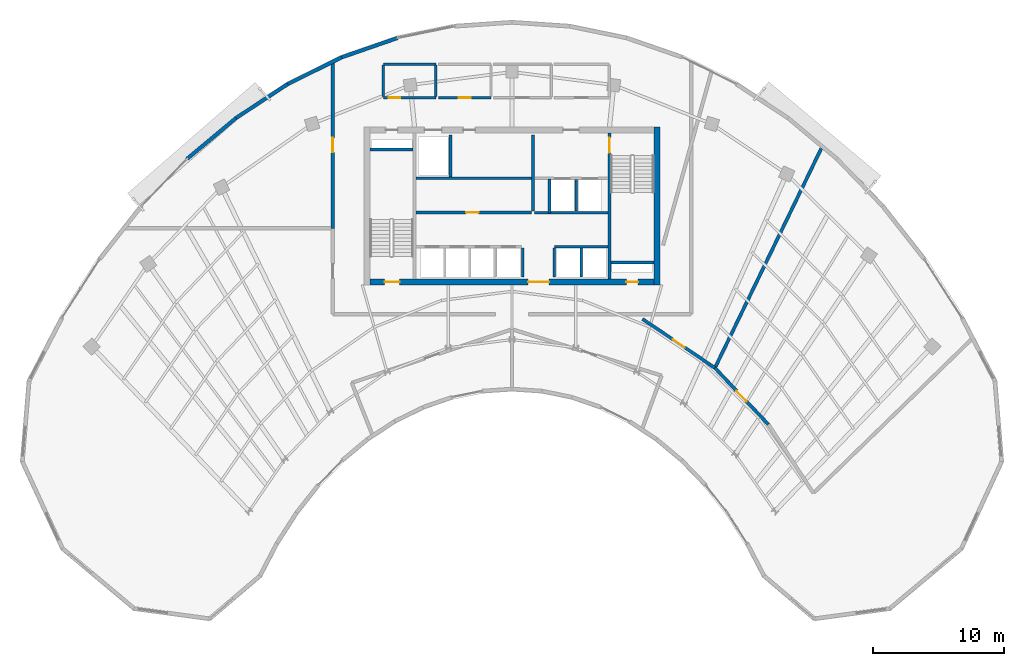
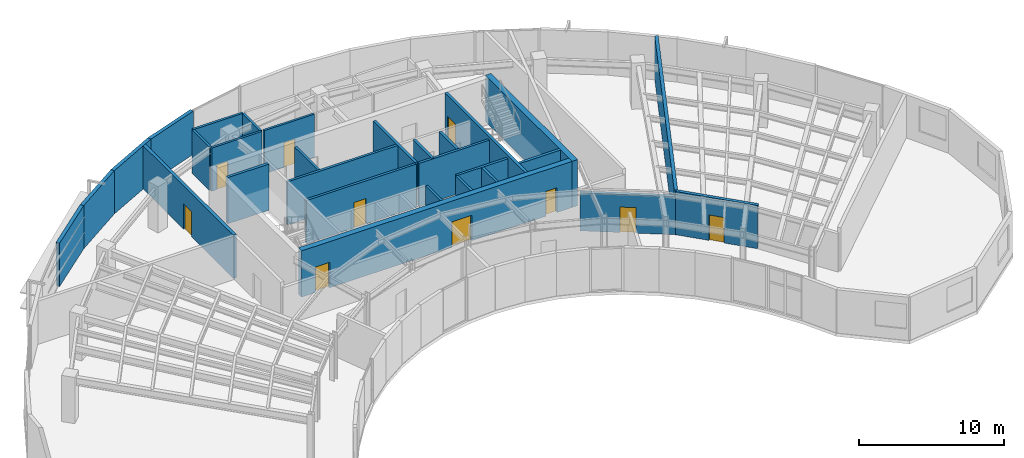
# One storey, part 9 of 13: 29 walls, 10 doors, 10 openings.
"""IFC4 building model written with IfcOpenShell, lengths in metres."""

import ifcopenshell
import ifcopenshell.guid

model = None  # the IFC model being written
_history = None  # IfcOwnerHistory: only IFC2X3 demands one
_inside = {}  # id of a spatial element -> (the spatial element, [elements in it])
_under = {}  # id of a project, library or spatial element -> (it, [spatial elements below it])
_declared = {}  # id of a project -> (the project, [libraries it declares])
_typed = {}  # id of a type object -> (the type object, [elements of that type])
_made_of = {}  # id of a material, layer set ... -> (it, [elements and type objects made of it])


def new_model(schema):
    """Start an empty IFC model of exactly this schema.

    Asked for "IFC4X3", IfcOpenShell would pick the latest addendum, in which some entities
    have other attributes; the version numbers below select the first issue.
    IFC2X3 requires an IfcOwnerHistory on every rooted entity: one is made here for all.
    """
    global model, _history
    if schema == "IFC4X3":
        model = ifcopenshell.file(schema_version=(4, 3, 0, 0))
    else:
        model = ifcopenshell.file(schema=schema)
    _inside.clear()
    _under.clear()
    _declared.clear()
    _typed.clear()
    _made_of.clear()
    _history = None
    if model.schema == "IFC2X3":
        org = make("IfcOrganization", Name="unknown")
        user = make(
            "IfcPersonAndOrganization",
            ThePerson=make("IfcPerson", FamilyName="unknown"),
            TheOrganization=org,
        )
        app = make(
            "IfcApplication",
            ApplicationDeveloper=org,
            Version="unknown",
            ApplicationFullName="unknown",
            ApplicationIdentifier="unknown",
        )
        _history = make(
            "IfcOwnerHistory",
            OwningUser=user,
            OwningApplication=app,
            ChangeAction="ADDED",
            CreationDate=0,
        )
    return model


def make(cls, **values):
    """One entity of the class cls with the attributes given. An attribute that is None is left unset."""
    return model.create_entity(
        cls, **{name: value for name, value in values.items() if value is not None}
    )


def rooted(cls, **values):
    """An entity with a GlobalId (a new one), such as an element, a storey or a relation."""
    return make(cls, GlobalId=ifcopenshell.guid.new(), OwnerHistory=_history, **values)


def si_unit(unit_type, name, prefix=None):
    """IfcSIUnit, for example si_unit("LENGTHUNIT", "METRE", prefix="MILLI")."""
    return make("IfcSIUnit", UnitType=unit_type, Prefix=prefix, Name=name)


def assignment(units):
    """IfcUnitAssignment: the units of a project."""
    return None if units is None else make("IfcUnitAssignment", Units=units)


def point(xyz):
    """IfcCartesianPoint."""
    return None if xyz is None else make("IfcCartesianPoint", Coordinates=xyz)


def direction(xyz):
    """IfcDirection."""
    return None if xyz is None else make("IfcDirection", DirectionRatios=xyz)


def frame(location, z_axis=None, x_axis=None):
    """IfcAxis2Placement3D, a coordinate frame: its origin and axes. An axis left out is left unset."""
    return make(
        "IfcAxis2Placement3D",
        Location=point(location),
        Axis=direction(z_axis),
        RefDirection=direction(x_axis),
    )


def frame_2d(location, x_axis=None):
    """IfcAxis2Placement2D, a coordinate frame in the plane: its origin and x axis."""
    return make(
        "IfcAxis2Placement2D", Location=point(location), RefDirection=direction(x_axis)
    )


def origin():
    """The frame at (0, 0, 0) with its axes left unset."""
    return frame((0.0, 0.0, 0.0))


def place(relative_to, where):
    """IfcLocalPlacement: puts the frame where relative to a parent placement (None: the world)."""
    return make(
        "IfcLocalPlacement", PlacementRelTo=relative_to, RelativePlacement=where
    )


def context(
    kind, dimensions, precision=None, world=None, true_north=None, identifier=None
):
    """IfcGeometricRepresentationContext, for example the 3D "Model" context."""
    return make(
        "IfcGeometricRepresentationContext",
        ContextIdentifier=identifier,
        ContextType=kind,
        CoordinateSpaceDimension=dimensions,
        Precision=precision,
        WorldCoordinateSystem=world,
        TrueNorth=true_north,
    )


def subcontext(parent, identifier, kind, view, scale=None):
    """IfcGeometricRepresentationSubContext, for example "Body" below "Model"."""
    return make(
        "IfcGeometricRepresentationSubContext",
        ContextIdentifier=identifier,
        ContextType=kind,
        ParentContext=parent,
        TargetScale=scale,
        TargetView=view,
    )


def project(units=None, contexts=None):
    """IfcProject with its units and contexts."""
    return rooted(
        "IfcProject",
        Name="project",
        RepresentationContexts=contexts,
        UnitsInContext=assignment(units),
    )


def spatial(cls, under=None, at=None, **own):
    """A site, building, storey or space (cls), placed at a placement, below another one or the project."""
    s = rooted(cls, ObjectPlacement=at, **own)
    if under is not None:
        _under.setdefault(under.id(), (under, []))[1].append(s)
    return s


def profile(cls, at=None, kind="AREA", **sizes):
    """A parametric profile (cls). Its sizes go by their IFC names, for example OverallWidth=200.0."""
    return make(cls, ProfileType=kind, Position=at, **sizes)


def rectangle(**sizes):
    """IfcRectangleProfileDef."""
    return profile("IfcRectangleProfileDef", **sizes)


def extrude(swept, where, along, depth):
    """IfcExtrudedAreaSolid: the profile swept, set in the frame where, extruded along a direction by depth."""
    return make(
        "IfcExtrudedAreaSolid",
        SweptArea=swept,
        Position=where,
        ExtrudedDirection=direction(along),
        Depth=depth,
    )


def shape(context_of_items, identifier, shape_type, items):
    """IfcShapeRepresentation: the items that make up one representation, for example the "Body"."""
    return make(
        "IfcShapeRepresentation",
        ContextOfItems=context_of_items,
        RepresentationIdentifier=identifier,
        RepresentationType=shape_type,
        Items=items,
    )


def source(mapping_origin, context_of_items, identifier, shape_type, items):
    """IfcRepresentationMap: a shape defined once, which mapped items show again and again."""
    return make(
        "IfcRepresentationMap",
        MappingOrigin=mapping_origin,
        MappedRepresentation=shape(context_of_items, identifier, shape_type, items),
    )


def transform(
    local_origin,
    x_axis=None,
    y_axis=None,
    z_axis=None,
    scale=None,
    scale2=None,
    scale3=None,
    uniform=True,
):
    """IfcCartesianTransformationOperator3D, or its non-uniform kind. x_axis, y_axis, z_axis: its Axis1, 2, 3."""
    if uniform:
        return make(
            "IfcCartesianTransformationOperator3D",
            Axis1=direction(x_axis),
            Axis2=direction(y_axis),
            LocalOrigin=point(local_origin),
            Scale=scale,
            Axis3=direction(z_axis),
        )
    return make(
        "IfcCartesianTransformationOperator3DnonUniform",
        Axis1=direction(x_axis),
        Axis2=direction(y_axis),
        LocalOrigin=point(local_origin),
        Scale=scale,
        Axis3=direction(z_axis),
        Scale2=scale2,
        Scale3=scale3,
    )


def mapped(mapping_source, mapping_target):
    """IfcMappedItem: shows the shape of a source again, moved by a transform."""
    return make(
        "IfcMappedItem", MappingSource=mapping_source, MappingTarget=mapping_target
    )


def material(Name=None, Category=None):
    """IfcMaterial."""
    return make("IfcMaterial", Name=Name, Category=Category)


def layer(
    of_material, thickness, ventilated=None, Name=None, Category=None, Priority=None
):
    """IfcMaterialLayer: one layer of a wall or slab, of a material (None: an air gap)."""
    return make(
        "IfcMaterialLayer",
        Material=of_material,
        LayerThickness=thickness,
        IsVentilated=ventilated,
        Name=Name,
        Category=Category,
        Priority=Priority,
    )


def layer_set(layers, Name=None):
    """IfcMaterialLayerSet."""
    return make("IfcMaterialLayerSet", MaterialLayers=layers, LayerSetName=Name)


def made_of(thing, what):
    """Note that an element or type object is made of a material, layer set ...; save() writes the relation."""
    if what is not None:
        _made_of.setdefault(what.id(), (what, []))[1].append(thing)
    return thing


def type_object(cls, material=None, **own):
    """A type object (cls), such as IfcWallType, which elements share."""
    return made_of(rooted(cls, **own), material)


def type_shapes(of_type, sources):
    """Give a type object the sources (RepresentationMaps) that its elements show as mapped items."""
    of_type.RepresentationMaps = sources


def element(
    cls,
    number,
    at=None,
    inside=None,
    cuts=None,
    type_object=None,
    material=None,
    context=None,
    identifier="Body",
    shape_type=None,
    held_by="IfcProductDefinitionShape",
    body=None,
    shapes=None,
    **own,
):
    """One element of the class cls, such as IfcWall. Its Tag is "e" and its number.

    at: its placement. inside: the storey or other place that contains it. cuts: it is an
    opening in that element (IfcRelVoidsElement). A single representation is given by context,
    identifier, shape_type and body (its items); several are given by shapes. held_by: the class
    of the entity that holds the representations. save() writes the other relations.
    """
    e = rooted(cls, Tag="e%d" % number, ObjectPlacement=at, **own)
    if body is not None:
        shapes = [shape(context, identifier, shape_type, body)]
    if shapes is not None:
        e.Representation = make(held_by, Representations=shapes)
    if inside is not None:
        _inside.setdefault(inside.id(), (inside, []))[1].append(e)
    if cuts is not None:
        rooted(
            "IfcRelVoidsElement", RelatingBuildingElement=cuts, RelatedOpeningElement=e
        )
    if type_object is not None:
        _typed.setdefault(type_object.id(), (type_object, []))[1].append(e)
    return made_of(e, material)


def fill(opening, filler):
    """IfcRelFillsElement: the door or window that sits in an opening."""
    return rooted(
        "IfcRelFillsElement",
        RelatingOpeningElement=opening,
        RelatedBuildingElement=filler,
    )


def aggregate(whole, parts):
    """IfcRelAggregates: a whole, such as a stair, and the parts it consists of."""
    return rooted("IfcRelAggregates", RelatingObject=whole, RelatedObjects=parts)


def save(model, path):
    """Write the relations noted so far, then the file.

    IfcRelAggregates (storeys below a building ...), IfcRelContainedInSpatialStructure (elements
    in a storey), IfcRelDefinesByType, IfcRelAssociatesMaterial and IfcRelDeclares: one each for
    every whole, place, type object, material and project.
    """
    for whole, parts in _under.values():
        aggregate(whole, parts)
    for where, things in _inside.values():
        rooted(
            "IfcRelContainedInSpatialStructure",
            RelatedElements=things,
            RelatingStructure=where,
        )
    for kind, things in _typed.values():
        rooted("IfcRelDefinesByType", RelatedObjects=things, RelatingType=kind)
    for what, things in _made_of.values():
        rooted("IfcRelAssociatesMaterial", RelatedObjects=things, RelatingMaterial=what)
    for by, libraries in _declared.values():
        rooted("IfcRelDeclares", RelatingContext=by, RelatedDefinitions=libraries)
    model.write(path)


model = new_model("IFC4")

# Units and contexts
model_context = context("Model", 3, precision=1e-05, world=origin(), true_north=direction((0.0, 1.0)))
body_context = subcontext(model_context, "Body", "Model", "MODEL_VIEW")
ifc_project = project(units=[si_unit("LENGTHUNIT", "METRE"), si_unit("AREAUNIT", "SQUARE_METRE"), si_unit("VOLUMEUNIT", "CUBIC_METRE"), si_unit("PLANEANGLEUNIT", "RADIAN"), si_unit("MASSUNIT", "GRAM", prefix="KILO")], contexts=[model_context])

# Site, building, storey
site_placement = place(None, origin())
site = spatial("IfcSite", under=ifc_project, at=site_placement, CompositionType="ELEMENT")
building_placement = place(site_placement, origin())
building = spatial("IfcBuilding", under=site, at=building_placement, Name="Breltana Convention Tower", CompositionType="ELEMENT")
storey_placement = place(building_placement, frame((0.0, 0.0, 227.39990234375)))
storey = spatial("IfcBuildingStorey", under=building, at=storey_placement, Name="L55", CompositionType="ELEMENT", Elevation=227.39990234375)

# Walls
ifc_material_1 = material(Name="Concrete C50/60", Category="concrete")
ifc_layer_1 = layer(ifc_material_1, 0.39990234375, Name="Concrete C50/60")
ifc_layer_set_1 = layer_set([ifc_layer_1], Name="Concrete C50/60")
wall_type_1 = type_object("IfcWallType", Name="SW-CORE-400", PredefinedType="SHEAR", material=ifc_layer_set_1)
shared_shape_1 = source(origin(), body_context, "Body", "SweptSolid", [
    extrude(rectangle(XDim=3.27001953125, YDim=0.219970703125, at=frame_2d((1.635009765625, 0.0))), origin(), (0.0, 0.0, 1.0), 3.900146484375),
])
for number, where, z_axis, x_axis, name in (
    (1, (37.199951171875, 70.510009765625, 0.0), (0.0, 0.0, 1.0), (1.0, 0.0, 0.0), "L55 ST-1 Stairwell North Bearing Wall"),
    (2, (55.530029296875, 61.889892578125, 0.0), (0.0, 0.0, 1.0), (1.0, 0.0, 0.0), "L55 ST-2 Stairwell South Bearing Wall"),
):
    element("IfcWall", number, at=place(storey_placement, frame(where, z_axis=z_axis, x_axis=x_axis)), inside=storey, type_object=wall_type_1, Name=name, PredefinedType="SHEAR", context=body_context, shape_type="MappedRepresentation", body=[
        mapped(shared_shape_1, transform((0.0, 0.0, 0.0), scale=1.0)),
    ])
ifc_material_2 = material(Name="Concrete C60/75", Category="concrete")
ifc_layer_2 = layer(ifc_material_2, 0.449951171875, Name="Concrete C60/75")
ifc_layer_set_2 = layer_set([ifc_layer_2], Name="Concrete C60/75")
wall_type_2 = type_object("IfcWallType", Name="SW-CORE-450", PredefinedType="SHEAR", material=ifc_layer_set_2)
shared_shape_2 = source(origin(), body_context, "Body", "SweptSolid", [
    extrude(rectangle(XDim=12.0, YDim=0.449951171875, at=frame_2d((6.0, 0.0))), origin(), (0.0, 0.0, 1.0), 3.900146484375),
])
wall_1_placement = place(storey_placement, frame((59.02490234375, 60.199951171875, 0.0), z_axis=(0.0, 0.0, 1.0), x_axis=(0.0, 1.0, 0.0)))
element("IfcWall", 3, at=wall_1_placement, inside=storey, type_object=wall_type_2, Name="L55 East Core Shear Wall", PredefinedType="SHEAR", context=body_context, shape_type="MappedRepresentation", body=[
    mapped(shared_shape_2, transform((0.0, 0.0, 0.0), scale=1.0)),
])

# Wall, openings, doors
shared_shape_3 = source(origin(), body_context, "Body", "SweptSolid", [
    extrude(rectangle(XDim=21.60009765625, YDim=0.449951171875, at=frame_2d((10.800048828125, 0.0))), origin(), (0.0, 0.0, 1.0), 3.900146484375),
])
wall_2_placement = place(storey_placement, frame((37.199951171875, 60.425048828125, 0.0), z_axis=(0.0, 0.0, 1.0), x_axis=(1.0, 0.0, 0.0)))
wall_2 = element("IfcWall", 4, at=wall_2_placement, inside=storey, type_object=wall_type_2, Name="L55 South Core Shear Wall", PredefinedType="SHEAR", context=body_context, shape_type="MappedRepresentation", body=[
    mapped(shared_shape_3, transform((0.0, 0.0, 0.0), scale=1.0)),
])
opening_1_placement = place(wall_2_placement, frame((1.10009765625, 0.0, 0.0)))
opening_1 = element("IfcOpeningElement", 5, at=opening_1_placement, cuts=wall_2, Name="Opening D-11", PredefinedType="OPENING", context=body_context, shape_type="SweptSolid", body=[
    extrude(rectangle(XDim=1.14990234375, YDim=2.14990234375, at=frame_2d((0.574951171875, 1.074951171875))), frame((0.0, 0.23486328125, 0.0), z_axis=(0.0, -1.0, 0.0), x_axis=(1.0, 0.0, 0.0)), (0.0, 0.0, 1.0), 0.469970703125),
])
opening_2_placement = place(wall_2_placement, frame((19.5, 0.0, 0.0)))
opening_2 = element("IfcOpeningElement", 6, at=opening_2_placement, cuts=wall_2, Name="Opening D-18", PredefinedType="OPENING", context=body_context, shape_type="SweptSolid", body=[
    extrude(rectangle(XDim=0.89990234375, YDim=2.10009765625, at=frame_2d((0.449951171875, 1.050048828125))), frame((0.0, 0.23486328125, 0.0), z_axis=(0.0, -1.0, 0.0), x_axis=(1.0, 0.0, 0.0)), (0.0, 0.0, 1.0), 0.469970703125),
])
opening_3_placement = place(wall_2_placement, frame((12.02001953125, 0.0, 0.0)))
opening_3 = element("IfcOpeningElement", 7, at=opening_3_placement, cuts=wall_2, Name="Opening D-02", PredefinedType="OPENING", context=body_context, shape_type="SweptSolid", body=[
    extrude(rectangle(XDim=1.60009765625, YDim=2.14990234375, at=frame_2d((0.800048828125, 1.074951171875))), frame((0.0, 0.23486328125, 0.0), z_axis=(0.0, -1.0, 0.0), x_axis=(1.0, 0.0, 0.0)), (0.0, 0.0, 1.0), 0.469970703125),
])
ifc_material_3 = material(Name="Steel Stair Exit Door", Category="steel")
door_type_1 = type_object("IfcDoorType", Name="DR-FD120-1150", OperationType="NOTDEFINED", PredefinedType="DOOR", material=ifc_material_3)
shared_shape_4 = source(origin(), body_context, "Body", "SweptSolid", [
    extrude(rectangle(XDim=1.14990234375, YDim=2.14990234375, at=frame_2d((0.574951171875, 1.074951171875))), frame((0.0, 0.02490234375, 0.0), z_axis=(0.0, -1.0, 0.0), x_axis=(1.0, 0.0, 0.0)), (0.0, 0.0, 1.0), 0.050048828125),
])
type_shapes(door_type_1, [shared_shape_4])
door_1_placement = place(opening_1_placement, origin())
door_1 = element("IfcDoor", 8, at=door_1_placement, inside=storey, type_object=door_type_1, Name="L55 interior door D-L55-ST1", OperationType="SINGLE_SWING_LEFT", OverallHeight=2.14990234375, OverallWidth=1.14990234375, PredefinedType="DOOR", context=body_context, shape_type="MappedRepresentation", body=[
    mapped(shared_shape_4, transform((0.0, 0.0, 0.0), scale=1.0)),
])
fill(opening_1, door_1)
ifc_material_4 = material(Name="Steel Riser Fire Door", Category="steel")
door_type_2 = type_object("IfcDoorType", Name="DR-FD60-900", OperationType="NOTDEFINED", PredefinedType="DOOR", material=ifc_material_4)
shared_shape_5 = source(origin(), body_context, "Body", "SweptSolid", [
    extrude(rectangle(XDim=0.89990234375, YDim=2.10009765625, at=frame_2d((0.449951171875, 1.050048828125))), frame((0.0, 0.02490234375, 0.0), z_axis=(0.0, -1.0, 0.0), x_axis=(1.0, 0.0, 0.0)), (0.0, 0.0, 1.0), 0.050048828125),
])
type_shapes(door_type_2, [shared_shape_5])
door_2_placement = place(opening_2_placement, origin())
door_2 = element("IfcDoor", 9, at=door_2_placement, inside=storey, type_object=door_type_2, Name="L55 Core Riser Access Door D-L55-RS2", OperationType="SINGLE_SWING_RIGHT", OverallHeight=2.10009765625, OverallWidth=0.89990234375, PredefinedType="DOOR", context=body_context, shape_type="MappedRepresentation", body=[
    mapped(shared_shape_5, transform((0.0, 0.0, 0.0), scale=1.0)),
])
fill(opening_2, door_2)
ifc_material_5 = material(Name="Steel Glazed Smoke-Control Door", Category="steel")
door_type_3 = type_object("IfcDoorType", Name="DR-DBL-FD90-1600", OperationType="DOUBLE_DOOR_SINGLE_SWING", PredefinedType="DOOR", material=ifc_material_5)
shared_shape_6 = source(origin(), body_context, "Body", "SweptSolid", [
    extrude(rectangle(XDim=1.60009765625, YDim=2.14990234375, at=frame_2d((0.800048828125, 1.074951171875))), frame((0.0, 0.02490234375, 0.0), z_axis=(0.0, -1.0, 0.0), x_axis=(1.0, 0.0, 0.0)), (0.0, 0.0, 1.0), 0.050048828125),
])
type_shapes(door_type_3, [shared_shape_6])
door_3_placement = place(opening_3_placement, origin())
door_3 = element("IfcDoor", 10, at=door_3_placement, inside=storey, type_object=door_type_3, Name="L55 interior door D-L55-LLB-S", OperationType="DOUBLE_DOOR_SINGLE_SWING", OverallHeight=2.14990234375, OverallWidth=1.60009765625, PredefinedType="DOOR", context=body_context, shape_type="MappedRepresentation", body=[
    mapped(shared_shape_6, transform((0.0, 0.0, 0.0), scale=1.0)),
])
fill(opening_3, door_3)

# Wall, opening, door
shared_shape_7 = source(origin(), body_context, "Body", "SweptSolid", [
    extrude(rectangle(XDim=11.10009765625, YDim=0.219970703125, at=frame_2d((5.550048828125, 0.0))), origin(), (0.0, 0.0, 1.0), 3.900146484375),
])
wall_3_placement = place(storey_placement, frame((55.419921875, 60.64990234375, 0.0), z_axis=(0.0, 0.0, 1.0), x_axis=(0.0, 1.0, 0.0)))
wall_3 = element("IfcWall", 11, at=wall_3_placement, inside=storey, type_object=wall_type_1, Name="L55 Core East Stair Spine Wall", PredefinedType="SHEAR", context=body_context, shape_type="MappedRepresentation", body=[
    mapped(shared_shape_7, transform((0.0, 0.0, 0.0), scale=1.0)),
])
opening_4_placement = place(wall_3_placement, frame((9.594970703125, 0.0, 0.0)))
opening_4 = element("IfcOpeningElement", 12, at=opening_4_placement, cuts=wall_3, Name="Opening D-11", PredefinedType="OPENING", context=body_context, shape_type="SweptSolid", body=[
    extrude(rectangle(XDim=1.14990234375, YDim=2.14990234375, at=frame_2d((0.574951171875, 1.074951171875))), frame((0.0, 0.1201171875, 0.0), z_axis=(0.0, -1.0, 0.0), x_axis=(1.0, 0.0, 0.0)), (0.0, 0.0, 1.0), 0.239990234375),
])
door_4_placement = place(opening_4_placement, origin())
door_4 = element("IfcDoor", 13, at=door_4_placement, inside=storey, type_object=door_type_1, Name="L55 interior door D-L55-ST2", OperationType="SINGLE_SWING_LEFT", OverallHeight=2.14990234375, OverallWidth=1.14990234375, PredefinedType="DOOR", context=body_context, shape_type="MappedRepresentation", body=[
    mapped(shared_shape_4, transform((0.0, 0.0, 0.0), scale=1.0)),
])
fill(opening_4, door_4)

# Walls
ifc_material_6 = material(Name="Limestone Buff Insulated Wall", Category="masonry")
ifc_layer_3 = layer(ifc_material_6, 0.280029296875, Name="Limestone Buff Insulated Wall")
ifc_layer_set_3 = layer_set([ifc_layer_3], Name="Limestone Buff Insulated Wall")
wall_type_3 = type_object("IfcWallType", Name="WL-EXT-NOSE-280", PredefinedType="SOLIDWALL", material=ifc_layer_set_3)
shared_shape_8 = source(origin(), body_context, "Body", "SweptSolid", [
    extrude(rectangle(XDim=4.851806640625, YDim=0.280029296875, at=frame_2d((2.42578125, 0.0))), origin(), (0.0, 0.0, 1.0), 3.650146484375),
])
wall_4_placement = place(storey_placement, frame((23.26806640625, 69.787841796875, 0.0), z_axis=(0.0, 0.0, 1.0), x_axis=(0.767936605821, 0.640525853843, 0.0)))
element("IfcWall", 14, at=wall_4_placement, inside=storey, type_object=wall_type_3, Name="L55 curved limestone nose wall E21", PredefinedType="SOLIDWALL", context=body_context, shape_type="MappedRepresentation", body=[
    mapped(shared_shape_8, transform((0.0, 0.0, 0.0), scale=1.0)),
])
shared_shape_9 = source(origin(), body_context, "Body", "SweptSolid", [
    extrude(rectangle(XDim=4.712646484375, YDim=0.280029296875, at=frame_2d((2.3564453125, 0.0))), origin(), (0.0, 0.0, 1.0), 3.650146484375),
])
wall_5_placement = place(storey_placement, frame((26.993896484375, 72.8955078125, 0.0), z_axis=(0.0, 0.0, 1.0), x_axis=(0.835974386457, 0.548768462275, 0.0)))
element("IfcWall", 15, at=wall_5_placement, inside=storey, type_object=wall_type_3, Name="L55 curved limestone nose wall E22", PredefinedType="SOLIDWALL", context=body_context, shape_type="MappedRepresentation", body=[
    mapped(shared_shape_9, transform((0.0, 0.0, 0.0), scale=1.0)),
])
shared_shape_10 = source(origin(), body_context, "Body", "SweptSolid", [
    extrude(rectangle(XDim=4.59033203125, YDim=0.280029296875, at=frame_2d((2.295166015625, 0.0))), origin(), (0.0, 0.0, 1.0), 3.650146484375),
])
wall_6_placement = place(storey_placement, frame((30.93359375, 75.481689453125, 0.0), z_axis=(0.0, 0.0, 1.0), x_axis=(0.895974834987, 0.444104824418, 0.0)))
element("IfcWall", 16, at=wall_6_placement, inside=storey, type_object=wall_type_3, Name="L55 curved limestone nose wall E23", PredefinedType="SOLIDWALL", context=body_context, shape_type="MappedRepresentation", body=[
    mapped(shared_shape_10, transform((0.0, 0.0, 0.0), scale=1.0)),
])
shared_shape_11 = source(origin(), body_context, "Body", "SweptSolid", [
    extrude(rectangle(XDim=4.4921875, YDim=0.280029296875, at=frame_2d((2.24609375, 0.0))), origin(), (0.0, 0.0, 1.0), 3.650146484375),
])
wall_7_placement = place(storey_placement, frame((35.04638671875, 77.520263671875, 0.0), z_axis=(0.0, 0.0, 1.0), x_axis=(0.944872297412, 0.32743906545, 0.0)))
element("IfcWall", 17, at=wall_7_placement, inside=storey, type_object=wall_type_3, Name="L55 curved limestone nose wall E24", PredefinedType="SOLIDWALL", context=body_context, shape_type="MappedRepresentation", body=[
    mapped(shared_shape_11, transform((0.0, 0.0, 0.0), scale=1.0)),
])
ifc_material_7 = material(Name="Autoclaved Aerated Concrete Block", Category="concrete")
ifc_layer_4 = layer(ifc_material_7, 0.199951171875, Name="Autoclaved Aerated Concrete Block")
ifc_layer_set_4 = layer_set([ifc_layer_4], Name="Autoclaved Aerated Concrete Block")
wall_type_4 = type_object("IfcWallType", Name="WL-SHAFT-200", PredefinedType="SOLIDWALL", material=ifc_layer_set_4)
shared_shape_12 = source(origin(), body_context, "Body", "SweptSolid", [
    extrude(rectangle(XDim=2.239990234375, YDim=0.199951171875, at=frame_2d((1.1201171875, 0.0))), origin(), (0.0, 0.0, 1.0), 3.650146484375),
])
for number, where, z_axis, x_axis, name in (
    (18, (48.820068359375, 60.780029296875, 0.0), (0.0, 0.0, 1.0), (0.0, 1.0, 0.0), "L55 interior partition W-L55-PORT-W"),
    (19, (51.219970703125, 60.780029296875, 0.0), (0.0, 0.0, 1.0), (0.0, 1.0, 0.0), "L55 interior partition W-L55-PORT-E"),
):
    element("IfcWall", number, at=place(storey_placement, frame(where, z_axis=z_axis, x_axis=x_axis)), inside=storey, type_object=wall_type_4, Name=name, PredefinedType="SOLIDWALL", context=body_context, shape_type="MappedRepresentation", body=[
        mapped(shared_shape_12, transform((0.0, 0.0, 0.0), scale=1.0)),
    ])
shared_shape_13 = source(origin(), body_context, "Body", "SweptSolid", [
    extrude(rectangle(XDim=5.6201171875, YDim=0.199951171875, at=frame_2d((2.81005859375, 0.0))), origin(), (0.0, 0.0, 1.0), 3.650146484375),
])
wall_8_placement = place(storey_placement, frame((49.699951171875, 65.679931640625, 0.0), z_axis=(0.0, 0.0, 1.0), x_axis=(1.0, 0.0, 0.0)))
element("IfcWall", 20, at=wall_8_placement, inside=storey, type_object=wall_type_4, Name="L55 interior partition W-L55-FL-S", PredefinedType="SOLIDWALL", context=body_context, shape_type="MappedRepresentation", body=[
    mapped(shared_shape_13, transform((0.0, 0.0, 0.0), scale=1.0)),
])
shared_shape_14 = source(origin(), body_context, "Body", "SweptSolid", [
    extrude(rectangle(XDim=5.800048828125, YDim=0.199951171875, at=frame_2d((2.89990234375, 0.0))), origin(), (0.0, 0.0, 1.0), 3.650146484375),
])
wall_9_placement = place(storey_placement, frame((49.60009765625, 65.800048828125, 0.0), z_axis=(0.0, 0.0, 1.0), x_axis=(0.0, 1.0, 0.0)))
element("IfcWall", 21, at=wall_9_placement, inside=storey, type_object=wall_type_4, Name="L55 interior partition W-L55-FFL-W", PredefinedType="SOLIDWALL", context=body_context, shape_type="MappedRepresentation", body=[
    mapped(shared_shape_14, transform((0.0, 0.0, 0.0), scale=1.0)),
])
shared_shape_15 = source(origin(), body_context, "Body", "SweptSolid", [
    extrude(rectangle(XDim=2.580078125, YDim=0.199951171875, at=frame_2d((1.2900390625, 0.0))), origin(), (0.0, 0.0, 1.0), 3.650146484375),
])
wall_10_placement = place(storey_placement, frame((50.85009765625, 65.679931640625, 0.0), z_axis=(0.0, 0.0, 1.0), x_axis=(0.0, 1.0, 0.0)))
element("IfcWall", 22, at=wall_10_placement, inside=storey, type_object=wall_type_4, Name="L55 interior partition W-L55-FL-W", PredefinedType="SOLIDWALL", context=body_context, shape_type="MappedRepresentation", body=[
    mapped(shared_shape_15, transform((0.0, 0.0, 0.0), scale=1.0)),
])
shared_shape_16 = source(origin(), body_context, "Body", "SweptSolid", [
    extrude(rectangle(XDim=2.39990234375, YDim=0.199951171875, at=frame_2d((1.199951171875, 0.0))), origin(), (0.0, 0.0, 1.0), 3.650146484375),
])
wall_11_placement = place(storey_placement, frame((52.89990234375, 65.800048828125, 0.0), z_axis=(0.0, 0.0, 1.0), x_axis=(0.0, 1.0, 0.0)))
element("IfcWall", 23, at=wall_11_placement, inside=storey, type_object=wall_type_4, Name="L55 interior partition W-L55-FL-DIV", PredefinedType="SOLIDWALL", context=body_context, shape_type="MappedRepresentation", body=[
    mapped(shared_shape_16, transform((0.0, 0.0, 0.0), scale=1.0)),
])
shared_shape_17 = source(origin(), body_context, "Body", "SweptSolid", [
    extrude(rectangle(XDim=3.2001953125, YDim=0.199951171875, at=frame_2d((1.60009765625, 0.0))), origin(), (0.0, 0.0, 1.0), 3.650146484375),
])
wall_12_placement = place(storey_placement, frame((43.320068359375, 68.39990234375, 0.0), z_axis=(0.0, 0.0, 1.0), x_axis=(0.0, 1.0, 0.0)))
element("IfcWall", 24, at=wall_12_placement, inside=storey, type_object=wall_type_4, Name="L55 interior partition W-L55-SV-E", PredefinedType="SOLIDWALL", context=body_context, shape_type="MappedRepresentation", body=[
    mapped(shared_shape_17, transform((0.0, 0.0, 0.0), scale=1.0)),
])
shared_shape_18 = source(origin(), body_context, "Body", "SweptSolid", [
    extrude(rectangle(XDim=8.800048828125, YDim=0.199951171875, at=frame_2d((4.39990234375, 0.0))), origin(), (0.0, 0.0, 1.0), 3.650146484375),
])
wall_13_placement = place(storey_placement, frame((40.699951171875, 68.300048828125, 0.0), z_axis=(0.0, 0.0, 1.0), x_axis=(1.0, 0.0, 0.0)))
element("IfcWall", 25, at=wall_13_placement, inside=storey, type_object=wall_type_4, Name="L55 interior partition W-L55-SV-S", PredefinedType="SOLIDWALL", context=body_context, shape_type="MappedRepresentation", body=[
    mapped(shared_shape_18, transform((0.0, 0.0, 0.0), scale=1.0)),
])

# Wall, opening, door
wall_14_placement = place(storey_placement, frame((40.699951171875, 65.699951171875, 0.0), z_axis=(0.0, 0.0, 1.0), x_axis=(1.0, 0.0, 0.0)))
wall_14 = element("IfcWall", 26, at=wall_14_placement, inside=storey, type_object=wall_type_4, Name="L55 interior partition W-L55-SH-M-FRONT", PredefinedType="SOLIDWALL", context=body_context, shape_type="MappedRepresentation", body=[
    mapped(shared_shape_18, transform((0.0, 0.0, 0.0), scale=1.0)),
])
opening_5_placement = place(wall_14_placement, frame((3.800048828125, 0.0, 0.0)))
opening_5 = element("IfcOpeningElement", 27, at=opening_5_placement, cuts=wall_14, Name="Opening D-14", PredefinedType="OPENING", context=body_context, shape_type="SweptSolid", body=[
    extrude(rectangle(XDim=0.949951171875, YDim=2.14990234375, at=frame_2d((0.47509765625, 1.074951171875))), frame((0.0, 0.10986328125, 0.0), z_axis=(0.0, -1.0, 0.0), x_axis=(1.0, 0.0, 0.0)), (0.0, 0.0, 1.0), 0.219970703125),
])
ifc_material_8 = material(Name="Timber Solid-Core Fire Door", Category="wood")
door_type_4 = type_object("IfcDoorType", Name="DR-FD60-950", OperationType="NOTDEFINED", PredefinedType="DOOR", material=ifc_material_8)
shared_shape_19 = source(origin(), body_context, "Body", "SweptSolid", [
    extrude(rectangle(XDim=0.949951171875, YDim=2.14990234375, at=frame_2d((0.47509765625, 1.074951171875))), frame((0.0, 0.02490234375, 0.0), z_axis=(0.0, -1.0, 0.0), x_axis=(1.0, 0.0, 0.0)), (0.0, 0.0, 1.0), 0.050048828125),
])
type_shapes(door_type_4, [shared_shape_19])
door_5_placement = place(opening_5_placement, origin())
door_5 = element("IfcDoor", 28, at=door_5_placement, inside=storey, type_object=door_type_4, Name="L55 interior door D-L55-LV7-B2A", OperationType="SINGLE_SWING_RIGHT", OverallHeight=2.14990234375, OverallWidth=0.949951171875, PredefinedType="DOOR", context=body_context, shape_type="MappedRepresentation", body=[
    mapped(shared_shape_19, transform((0.0, 0.0, 0.0), scale=1.0)),
])
fill(opening_5, door_5)

# Walls
shared_shape_20 = source(origin(), body_context, "Body", "SweptSolid", [
    extrude(rectangle(XDim=4.10009765625, YDim=0.199951171875, at=frame_2d((2.050048828125, 0.0))), origin(), (0.0, 0.0, 1.0), 3.650146484375),
])
wall_15_placement = place(storey_placement, frame((51.219970703125, 63.10009765625, 0.0), z_axis=(0.0, 0.0, 1.0), x_axis=(1.0, 0.0, 0.0)))
element("IfcWall", 29, at=wall_15_placement, inside=storey, type_object=wall_type_4, Name="L55 interior partition W-L55-SH-X-FRONT", PredefinedType="SOLIDWALL", context=body_context, shape_type="MappedRepresentation", body=[
    mapped(shared_shape_20, transform((0.0, 0.0, 0.0), scale=1.0)),
])
shared_shape_21 = source(origin(), body_context, "Body", "SweptSolid", [
    extrude(rectangle(XDim=2.199951171875, YDim=0.199951171875, at=frame_2d((1.10009765625, 0.0))), origin(), (0.0, 0.0, 1.0), 3.650146484375),
])
wall_16_placement = place(storey_placement, frame((53.280029296875, 60.800048828125, 0.0), z_axis=(0.0, 0.0, 1.0), x_axis=(0.0, 1.0, 0.0)))
element("IfcWall", 30, at=wall_16_placement, inside=storey, type_object=wall_type_4, Name="L55 interior partition W-L55-SH-X-DIV", PredefinedType="SOLIDWALL", context=body_context, shape_type="MappedRepresentation", body=[
    mapped(shared_shape_21, transform((0.0, 0.0, 0.0), scale=1.0)),
])

# Wall, opening, door
ifc_material_9 = material(Name="Cement Board Wet-Area Partition")
ifc_layer_5 = layer(ifc_material_9, 0.175048828125, Name="Cement Board Wet-Area Partition")
ifc_layer_set_5 = layer_set([ifc_layer_5], Name="Cement Board Wet-Area Partition")
wall_type_5 = type_object("IfcWallType", Name="WL-WET-175", PredefinedType="PARTITIONING", material=ifc_layer_set_5)
shared_shape_22 = source(origin(), body_context, "Body", "SweptSolid", [
    extrude(rectangle(XDim=4.0, YDim=0.175048828125, at=frame_2d((2.0, 0.0))), origin(), (0.0, 0.0, 1.0), 3.650146484375),
])
wall_17_placement = place(storey_placement, frame((38.199951171875, 74.43994140625, 0.0), z_axis=(0.0, 0.0, 1.0), x_axis=(1.0, 0.0, 0.0)))
wall_17 = element("IfcWall", 31, at=wall_17_placement, inside=storey, type_object=wall_type_5, Name="L55 interior partition W-L55-WCM-S", PredefinedType="PARTITIONING", context=body_context, shape_type="MappedRepresentation", body=[
    mapped(shared_shape_22, transform((0.0, 0.0, 0.0), scale=1.0)),
])
opening_6_placement = place(wall_17_placement, frame((0.39990234375, 0.0, 0.0)))
opening_6 = element("IfcOpeningElement", 32, at=opening_6_placement, cuts=wall_17, Name="Opening D-19", PredefinedType="OPENING", context=body_context, shape_type="SweptSolid", body=[
    extrude(rectangle(XDim=0.89990234375, YDim=2.080078125, at=frame_2d((0.449951171875, 1.0400390625))), frame((0.0, 0.09765625, 0.0), z_axis=(0.0, -1.0, 0.0), x_axis=(1.0, 0.0, 0.0)), (0.0, 0.0, 1.0), 0.195068359375),
])
ifc_material_10 = material(Name="Timber Moisture-Resistant Door", Category="wood")
door_type_5 = type_object("IfcDoorType", Name="DR-WC-900", OperationType="NOTDEFINED", PredefinedType="DOOR", material=ifc_material_10)
shared_shape_23 = source(origin(), body_context, "Body", "SweptSolid", [
    extrude(rectangle(XDim=0.89990234375, YDim=2.080078125, at=frame_2d((0.449951171875, 1.0400390625))), frame((0.0, 0.02490234375, 0.0), z_axis=(0.0, -1.0, 0.0), x_axis=(1.0, 0.0, 0.0)), (0.0, 0.0, 1.0), 0.050048828125),
])
type_shapes(door_type_5, [shared_shape_23])
door_6_placement = place(opening_6_placement, origin())
door_6 = element("IfcDoor", 33, at=door_6_placement, inside=storey, type_object=door_type_5, Name="L55 interior door D-L55-WCM", OperationType="SINGLE_SWING_LEFT", OverallHeight=2.080078125, OverallWidth=0.89990234375, PredefinedType="DOOR", context=body_context, shape_type="MappedRepresentation", body=[
    mapped(shared_shape_23, transform((0.0, 0.0, 0.0), scale=1.0)),
])
fill(opening_6, door_6)

wall_18_placement = place(storey_placement, frame((42.39990234375, 74.43994140625, 0.0), z_axis=(0.0, 0.0, 1.0), x_axis=(1.0, 0.0, 0.0)))
wall_18 = element("IfcWall", 34, at=wall_18_placement, inside=storey, type_object=wall_type_5, Name="L55 interior partition W-L55-WCF-S", PredefinedType="PARTITIONING", context=body_context, shape_type="MappedRepresentation", body=[
    mapped(shared_shape_22, transform((0.0, 0.0, 0.0), scale=1.0)),
])
opening_7_placement = place(wall_18_placement, frame((1.550048828125, 0.0, 0.0)))
opening_7 = element("IfcOpeningElement", 35, at=opening_7_placement, cuts=wall_18, Name="Opening D-19", PredefinedType="OPENING", context=body_context, shape_type="SweptSolid", body=[
    extrude(rectangle(XDim=0.89990234375, YDim=2.080078125, at=frame_2d((0.449951171875, 1.0400390625))), frame((0.0, 0.09765625, 0.0), z_axis=(0.0, -1.0, 0.0), x_axis=(1.0, 0.0, 0.0)), (0.0, 0.0, 1.0), 0.195068359375),
])
door_7_placement = place(opening_7_placement, origin())
door_7 = element("IfcDoor", 36, at=door_7_placement, inside=storey, type_object=door_type_5, Name="L55 interior door D-L55-WCF", OperationType="SINGLE_SWING_RIGHT", OverallHeight=2.080078125, OverallWidth=0.89990234375, PredefinedType="DOOR", context=body_context, shape_type="MappedRepresentation", body=[
    mapped(shared_shape_23, transform((0.0, 0.0, 0.0), scale=1.0)),
])
fill(opening_7, door_7)

# Walls
ifc_material_11 = material(Name="Moisture-Resistant Gypsum Chase Wall")
ifc_layer_6 = layer(ifc_material_11, 0.179931640625, Name="Moisture-Resistant Gypsum Chase Wall")
ifc_layer_set_6 = layer_set([ifc_layer_6], Name="Moisture-Resistant Gypsum Chase Wall")
wall_type_6 = type_object("IfcWallType", Name="WL-PLUMB-180", PredefinedType="PLUMBINGWALL", material=ifc_layer_set_6)
shared_shape_24 = source(origin(), body_context, "Body", "SweptSolid", [
    extrude(rectangle(XDim=4.0, YDim=0.179931640625, at=frame_2d((2.0, 0.0))), origin(), (0.0, 0.0, 1.0), 3.650146484375),
])
wall_19_placement = place(storey_placement, frame((38.199951171875, 77.0, 0.0), z_axis=(0.0, 0.0, 1.0), x_axis=(1.0, 0.0, 0.0)))
element("IfcWall", 37, at=wall_19_placement, inside=storey, type_object=wall_type_6, Name="L55 interior partition W-L55-WCM-N", PredefinedType="PLUMBINGWALL", context=body_context, shape_type="MappedRepresentation", body=[
    mapped(shared_shape_24, transform((0.0, 0.0, 0.0), scale=1.0)),
])
shared_shape_25 = source(origin(), body_context, "Body", "SweptSolid", [
    extrude(rectangle(XDim=2.402587890625, YDim=0.175048828125, at=frame_2d((1.201171875, 0.0))), origin(), (0.0, 0.0, 1.0), 3.650146484375),
])
for number, where, z_axis, x_axis, name in (
    (38, (38.199951171875, 74.518798828125, 0.0), (0.0, 0.0, 1.0), (0.0, 1.0, 0.0), "L55 interior partition W-L55-WCM-W"),
    (39, (42.199951171875, 74.518798828125, 0.0), (0.0, 0.0, 1.0), (0.0, 1.0, 0.0), "L55 interior partition W-L55-WCM-E"),
):
    element("IfcWall", number, at=place(storey_placement, frame(where, z_axis=z_axis, x_axis=x_axis)), inside=storey, type_object=wall_type_5, Name=name, PredefinedType="PARTITIONING", context=body_context, shape_type="MappedRepresentation", body=[
        mapped(shared_shape_25, transform((0.0, 0.0, 0.0), scale=1.0)),
    ])

# Wall, opening, door
ifc_material_12 = material(Name="Gypsum Acoustic Double Stud Wall")
ifc_layer_7 = layer(ifc_material_12, 0.25, Name="Gypsum Acoustic Double Stud Wall")
ifc_layer_set_7 = layer_set([ifc_layer_7], Name="Gypsum Acoustic Double Stud Wall")
wall_type_7 = type_object("IfcWallType", Name="WL-ACOUSTIC-250", PredefinedType="PARTITIONING", material=ifc_layer_set_7)
shared_shape_26 = source(origin(), body_context, "Body", "SweptSolid", [
    extrude(rectangle(XDim=6.654052734375, YDim=0.25, at=frame_2d((3.3271484375, 0.0))), origin(), (0.0, 0.0, 1.0), 3.217041015625),
])
wall_20_placement = place(storey_placement, frame((57.931884765625, 57.595703125, 0.0), z_axis=(0.0, 0.0, 1.0), x_axis=(0.828704875625, -0.559685830726, 0.0)))
wall_20 = element("IfcWall", 40, at=wall_20_placement, inside=storey, type_object=wall_type_7, Name="L55 interior partition W-L55-EXER1-COR", PredefinedType="PARTITIONING", context=body_context, shape_type="MappedRepresentation", body=[
    mapped(shared_shape_26, transform((0.0, 0.0, 0.0), scale=1.0)),
])
opening_8_placement = place(wall_20_placement, frame((2.777099609375, 0.0, 0.0)))
opening_8 = element("IfcOpeningElement", 41, at=opening_8_placement, cuts=wall_20, Name="Opening D-12", PredefinedType="OPENING", context=body_context, shape_type="SweptSolid", body=[
    extrude(rectangle(XDim=1.10009765625, YDim=2.14990234375, at=frame_2d((0.550048828125, 1.074951171875))), frame((0.0, 0.135009765625, 0.0), z_axis=(0.0, -1.0, 0.0), x_axis=(1.0, 0.0, 0.0)), (0.0, 0.0, 1.0), 0.27001953125),
])
ifc_material_13 = material(Name="Timber Oak Acoustic Door", Category="wood")
door_type_6 = type_object("IfcDoorType", Name="DR-INT-1100", OperationType="NOTDEFINED", PredefinedType="DOOR", material=ifc_material_13)
shared_shape_27 = source(origin(), body_context, "Body", "SweptSolid", [
    extrude(rectangle(XDim=1.10009765625, YDim=2.14990234375, at=frame_2d((0.550048828125, 1.074951171875))), frame((0.0, 0.02490234375, 0.0), z_axis=(0.0, -1.0, 0.0), x_axis=(1.0, 0.0, 0.0)), (0.0, 0.0, 1.0), 0.050048828125),
])
type_shapes(door_type_6, [shared_shape_27])
door_8_placement = place(opening_8_placement, origin())
door_8 = element("IfcDoor", 42, at=door_8_placement, inside=storey, type_object=door_type_6, Name="L55 interior door D-L55-EXER1", OperationType="SINGLE_SWING_LEFT", OverallHeight=2.14990234375, OverallWidth=1.10009765625, PredefinedType="DOOR", context=body_context, shape_type="MappedRepresentation", body=[
    mapped(shared_shape_27, transform((0.0, 0.0, 0.0), scale=1.0)),
])
fill(opening_8, door_8)

# Wall
shared_shape_28 = source(origin(), body_context, "Body", "SweptSolid", [
    extrude(rectangle(XDim=18.664306640625, YDim=0.25, at=frame_2d((9.33203125, 0.0))), origin(), (0.0, 0.0, 1.0), 3.650146484375),
])
wall_21_placement = place(storey_placement, frame((63.4677734375, 53.91650390625, 0.0), z_axis=(0.0, 0.0, 1.0), x_axis=(0.43611848828, 0.899889251064, 0.0)))
element("IfcWall", 43, at=wall_21_placement, inside=storey, type_object=wall_type_7, Name="L55 interior partition W-L55-EXER1-RB", PredefinedType="PARTITIONING", context=body_context, shape_type="MappedRepresentation", body=[
    mapped(shared_shape_28, transform((0.0, 0.0, 0.0), scale=1.0)),
])

# Wall, opening, door
shared_shape_29 = source(origin(), body_context, "Body", "SweptSolid", [
    extrude(rectangle(XDim=5.9287109375, YDim=0.25, at=frame_2d((2.96435546875, 0.0))), origin(), (0.0, 0.0, 1.0), 3.650146484375),
])
wall_22_placement = place(storey_placement, frame((63.446044921875, 53.87158203125, 0.0), z_axis=(0.0, 0.0, 1.0), x_axis=(0.687445334019, -0.726236127396, 0.0)))
wall_22 = element("IfcWall", 44, at=wall_22_placement, inside=storey, type_object=wall_type_7, Name="L55 interior partition W-L55-EXER2-COR1", PredefinedType="PARTITIONING", context=body_context, shape_type="MappedRepresentation", body=[
    mapped(shared_shape_29, transform((0.0, 0.0, 0.0), scale=1.0)),
])
opening_9_placement = place(wall_22_placement, frame((2.414306640625, 0.0, 0.0)))
opening_9 = element("IfcOpeningElement", 45, at=opening_9_placement, cuts=wall_22, Name="Opening D-12", PredefinedType="OPENING", context=body_context, shape_type="SweptSolid", body=[
    extrude(rectangle(XDim=1.10009765625, YDim=2.14990234375, at=frame_2d((0.550048828125, 1.074951171875))), frame((0.0, 0.135009765625, 0.0), z_axis=(0.0, -1.0, 0.0), x_axis=(1.0, 0.0, 0.0)), (0.0, 0.0, 1.0), 0.27001953125),
])
door_9_placement = place(opening_9_placement, origin())
door_9 = element("IfcDoor", 46, at=door_9_placement, inside=storey, type_object=door_type_6, Name="L55 interior door D-L55-EXER2", OperationType="SINGLE_SWING_RIGHT", OverallHeight=2.14990234375, OverallWidth=1.10009765625, PredefinedType="DOOR", context=body_context, shape_type="MappedRepresentation", body=[
    mapped(shared_shape_27, transform((0.0, 0.0, 0.0), scale=1.0)),
])
fill(opening_9, door_9)

shared_shape_30 = source(origin(), body_context, "Body", "SweptSolid", [
    extrude(rectangle(XDim=12.668701171875, YDim=0.25, at=frame_2d((6.33447265625, 0.0))), origin(), (0.0, 0.0, 1.0), 3.650146484375),
])
wall_23_placement = place(storey_placement, frame((34.360107421875, 64.5, 0.0), z_axis=(0.0, 0.0, 1.0), x_axis=(0.0, 1.0, 0.0)))
wall_23 = element("IfcWall", 47, at=wall_23_placement, inside=storey, type_object=wall_type_7, Name="L55 interior partition W-L55-EXW2-ENT", PredefinedType="PARTITIONING", context=body_context, shape_type="MappedRepresentation", body=[
    mapped(shared_shape_30, transform((0.0, 0.0, 0.0), scale=1.0)),
])
opening_10_placement = place(wall_23_placement, frame((5.784423828125, 0.0, 0.0)))
opening_10 = element("IfcOpeningElement", 48, at=opening_10_placement, cuts=wall_23, Name="Opening D-12", PredefinedType="OPENING", context=body_context, shape_type="SweptSolid", body=[
    extrude(rectangle(XDim=1.10009765625, YDim=2.14990234375, at=frame_2d((0.550048828125, 1.074951171875))), frame((0.0, 0.135009765625, 0.0), z_axis=(0.0, -1.0, 0.0), x_axis=(1.0, 0.0, 0.0)), (0.0, 0.0, 1.0), 0.27001953125),
])
door_10_placement = place(opening_10_placement, origin())
door_10 = element("IfcDoor", 49, at=door_10_placement, inside=storey, type_object=door_type_6, Name="L55 interior door D-L55-EXW2", OperationType="SINGLE_SWING_RIGHT", OverallHeight=2.14990234375, OverallWidth=1.10009765625, PredefinedType="DOOR", context=body_context, shape_type="MappedRepresentation", body=[
    mapped(shared_shape_27, transform((0.0, 0.0, 0.0), scale=1.0)),
])
fill(opening_10, door_10)

save(model, "model.ifc")
